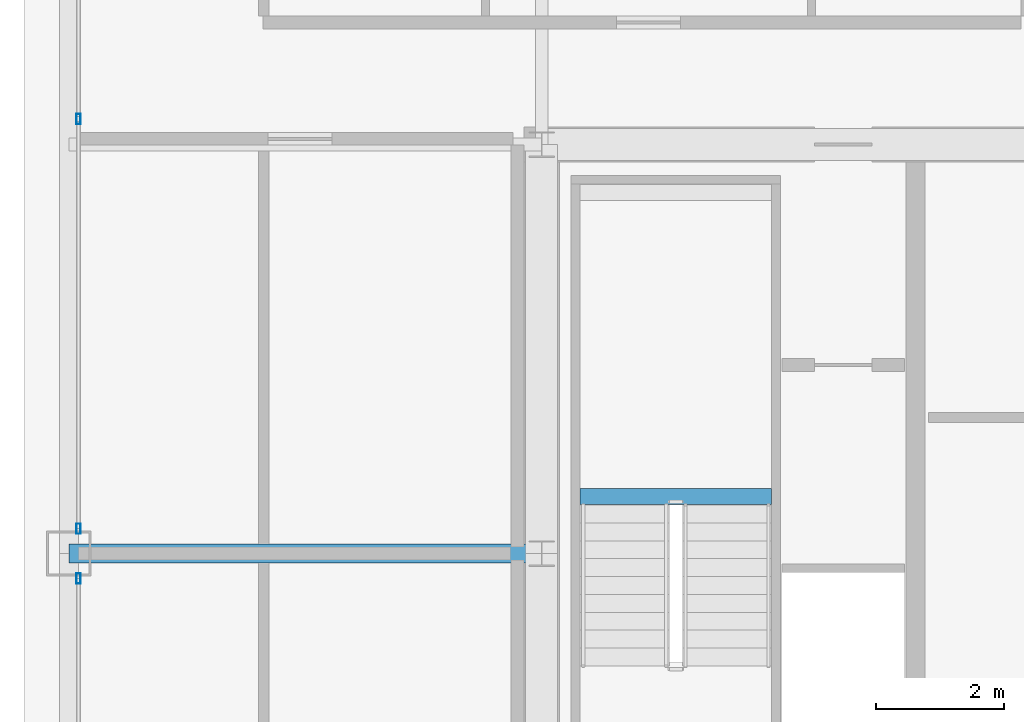
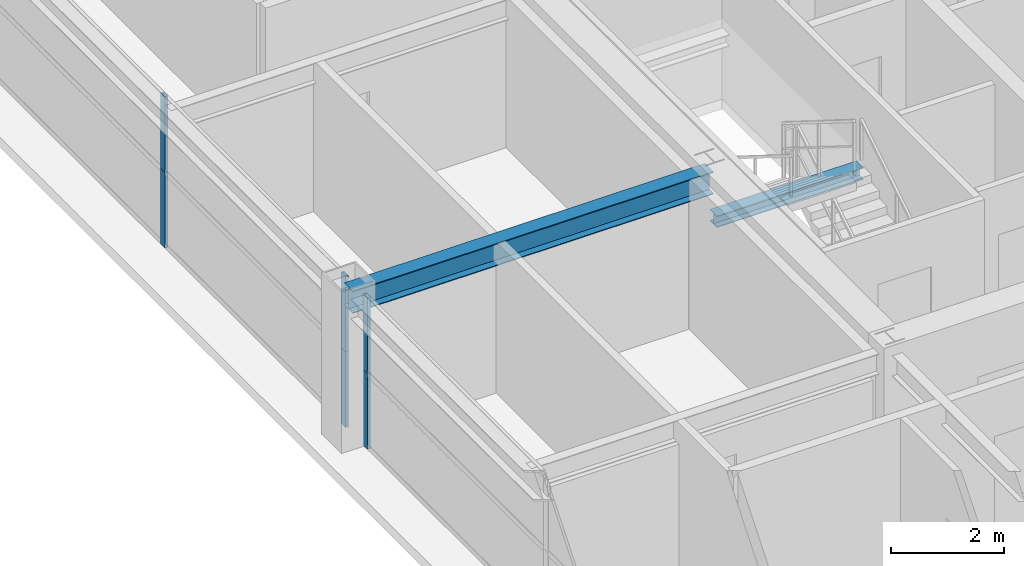
# One storey, part 13 of 36: 6 members, 2 beams, 2 elements without a shape of their own.
"""IFC4 building model written with IfcOpenShell, lengths in metres."""

from ifc_helpers import new_model, si_unit, direction, frame, origin, origin_2d, place, context, subcontext, project, spatial, hollow_rectangle, i_section, extrude, source, transform, mapped, material, layer, layer_set, material_profile, profile_set, type_object, element, aggregate, save


model = new_model("IFC4")

# Units and contexts
model_context = context("Model", 3, precision=1e-05, world=origin(), true_north=direction((0.0, 1.0)))
body_context = subcontext(model_context, "Body", "Model", "MODEL_VIEW")
ifc_project = project(units=[si_unit("LENGTHUNIT", "METRE"), si_unit("AREAUNIT", "SQUARE_METRE"), si_unit("VOLUMEUNIT", "CUBIC_METRE"), si_unit("PLANEANGLEUNIT", "RADIAN"), si_unit("MASSUNIT", "GRAM", prefix="KILO"), si_unit("THERMODYNAMICTEMPERATUREUNIT", "KELVIN"), si_unit("POWERUNIT", "WATT")], contexts=[model_context])

# Site, building, storey
site_placement = place(None, origin())
site = spatial("IfcSite", under=ifc_project, at=site_placement, CompositionType="ELEMENT")
building_placement = place(site_placement, origin())
building = spatial("IfcBuilding", under=site, at=building_placement, Name="Yuzanri Waterfront Tower", CompositionType="ELEMENT")
storey_placement = place(building_placement, frame((0.0, 0.0, 238.10009765625)))
storey = spatial("IfcBuildingStorey", under=building, at=storey_placement, Name="L63", CompositionType="ELEMENT", Elevation=238.10009765625)

# Beam
ifc_material_1 = material(Name="Steel Q355B", Category="steel")
ifc_material_profile_1 = material_profile(ifc_material_1, i_section(OverallWidth=0.300048828125, OverallDepth=0.488037109375, WebThickness=0.010986328125, FlangeThickness=0.01806640625, at=origin_2d()), Name="HM 488x300x11x18")
ifc_profile_set_1 = profile_set([ifc_material_profile_1], Name="Steel Q355B")
beam_type_1 = type_object("IfcBeamType", Name="Primary Floor Girder Q355B HM 488x300", PredefinedType="BEAM", material=ifc_profile_set_1)
shared_shape_1 = source(origin(), body_context, "Body", "SweptSolid", [
    extrude(i_section(OverallWidth=0.300048828125, OverallDepth=0.488037109375, WebThickness=0.010986328125, FlangeThickness=0.01806640625, at=origin_2d()), origin(), (0.0, 0.0, 1.0), 7.400146484375),
])
beam_1_placement = place(storey_placement, frame((23.800048828125, 25.800048828125, 3.035888671875), z_axis=(-1.0, 0.0, 0.0), x_axis=(0.0, -1.0, 0.0)))
element("IfcBeam", 1, at=beam_1_placement, inside=storey, type_object=beam_type_1, Name="L63 West Grid Girder", PredefinedType="BEAM", context=body_context, shape_type="MappedRepresentation", body=[
    mapped(shared_shape_1, transform((0.0, 0.0, 0.0), scale=1.0)),
])

# Curtain wall, members
ifc_material_2 = material(Name="Anodized Architectural Bronze", Category="metal")
ifc_layer = layer(ifc_material_2, 0.159912109375)
ifc_layer_set = layer_set([ifc_layer], Name="Anodized Architectural Bronze")
curtain_wall_type = type_object("IfcCurtainWallType", Name="Anodized Bronze Mid-Rise Residential Acoustic Unitized Curtain Wall 7200", PredefinedType="NOTDEFINED", material=ifc_layer_set)
curtain_wall_1_placement = place(storey_placement, origin())
curtain_wall_1 = element("IfcCurtainWall", 2, at=curtain_wall_1_placement, inside=storey, type_object=curtain_wall_type, Name="L63 Curtain Wall CW-L63-WL", PredefinedType="NOTDEFINED")
ifc_material_3 = material(Name="Anodized Architectural Bronze", Category="metal")
ifc_material_profile_2 = material_profile(ifc_material_3, hollow_rectangle(XDim=0.06494140625, YDim=0.159912109375, WallThickness=0.00341796875, at=origin_2d()), Name="CWM 65x160")
ifc_profile_set_2 = profile_set([ifc_material_profile_2], Name="Anodized Architectural Bronze")
member_type = type_object("IfcMemberType", Name="Anodized Bronze Upper-Zone Curtain-Wall Mullion 65x160", PredefinedType="MULLION", material=ifc_profile_set_2)
shared_shape_2 = source(origin(), body_context, "Body", "SweptSolid", [
    extrude(hollow_rectangle(XDim=0.06494140625, YDim=0.159912109375, WallThickness=0.00341796875, at=origin_2d()), origin(), (0.0, 0.0, 1.0), 1.637939453125),
])
member_1_placement = place(storey_placement, frame((16.550048828125, 25.409912109375, 0.0), z_axis=(0.0, 0.0, 1.0), x_axis=(1.0, 0.0, 0.0)))
member_1 = element("IfcMember", 3, at=member_1_placement, type_object=member_type, Name="CW-L63-WL Lower Mullion 02", PredefinedType="MULLION", context=body_context, shape_type="MappedRepresentation", body=[
    mapped(shared_shape_2, transform((0.0, 0.0, 0.0), scale=1.0)),
])
member_2_placement = place(storey_placement, frame((16.550048828125, 25.409912109375, 1.641845703125), z_axis=(0.0, 0.0, 1.0), x_axis=(1.0, 0.0, 0.0)))
member_2 = element("IfcMember", 4, at=member_2_placement, type_object=member_type, Name="CW-L63-WL Upper Mullion 02", PredefinedType="MULLION", context=body_context, shape_type="MappedRepresentation", body=[
    mapped(shared_shape_2, transform((0.0, 0.0, 0.0), scale=1.0)),
])
aggregate(curtain_wall_1, [member_1, member_2])

curtain_wall_2_placement = place(storey_placement, origin())
curtain_wall_2 = element("IfcCurtainWall", 5, at=curtain_wall_2_placement, inside=storey, type_object=curtain_wall_type, Name="L63 Curtain Wall CW-L63-WR", PredefinedType="NOTDEFINED")
member_3_placement = place(storey_placement, frame((16.550048828125, 26.18994140625, 0.0), z_axis=(0.0, 0.0, 1.0), x_axis=(1.0, 0.0, 0.0)))
member_3 = element("IfcMember", 6, at=member_3_placement, type_object=member_type, Name="CW-L63-WR Lower Mullion 00", PredefinedType="MULLION", context=body_context, shape_type="MappedRepresentation", body=[
    mapped(shared_shape_2, transform((0.0, 0.0, 0.0), scale=1.0)),
])
member_4_placement = place(storey_placement, frame((16.550048828125, 26.18994140625, 1.641845703125), z_axis=(0.0, 0.0, 1.0), x_axis=(1.0, 0.0, 0.0)))
member_4 = element("IfcMember", 7, at=member_4_placement, type_object=member_type, Name="CW-L63-WR Upper Mullion 00", PredefinedType="MULLION", context=body_context, shape_type="MappedRepresentation", body=[
    mapped(shared_shape_2, transform((0.0, 0.0, 0.0), scale=1.0)),
])
member_5_placement = place(storey_placement, frame((16.550048828125, 32.60009765625, 0.0), z_axis=(0.0, 0.0, 1.0), x_axis=(1.0, 0.0, 0.0)))
member_5 = element("IfcMember", 8, at=member_5_placement, type_object=member_type, Name="CW-L63-WR Lower Mullion 01", PredefinedType="MULLION", context=body_context, shape_type="MappedRepresentation", body=[
    mapped(shared_shape_2, transform((0.0, 0.0, 0.0), scale=1.0)),
])
member_6_placement = place(storey_placement, frame((16.550048828125, 32.60009765625, 1.641845703125), z_axis=(0.0, 0.0, 1.0), x_axis=(1.0, 0.0, 0.0)))
member_6 = element("IfcMember", 9, at=member_6_placement, type_object=member_type, Name="CW-L63-WR Upper Mullion 01", PredefinedType="MULLION", context=body_context, shape_type="MappedRepresentation", body=[
    mapped(shared_shape_2, transform((0.0, 0.0, 0.0), scale=1.0)),
])
aggregate(curtain_wall_2, [member_3, member_4, member_5, member_6])

# Beam
ifc_material_4 = material(Name="Steel Q355B", Category="steel")
ifc_material_profile_3 = material_profile(ifc_material_4, i_section(OverallWidth=0.25, OverallDepth=0.25, WebThickness=0.009033203125, FlangeThickness=0.013916015625, at=origin_2d()), Name="HW 250x250x9x14")
ifc_profile_set_3 = profile_set([ifc_material_profile_3], Name="Steel Q355B")
beam_type_2 = type_object("IfcBeamType", Name="Stair Landing Support Beam Q355B HW 250x250", PredefinedType="BEAM", material=ifc_profile_set_3)
shared_shape_3 = source(origin(), body_context, "Body", "SweptSolid", [
    extrude(i_section(OverallWidth=0.25, OverallDepth=0.25, WebThickness=0.009033203125, FlangeThickness=0.013916015625, at=origin_2d()), origin(), (0.0, 0.0, 1.0), 3.0),
])
beam_2_placement = place(storey_placement, frame((24.39990234375, 26.68994140625, 1.4248046875), z_axis=(1.0, 0.0, 0.0), x_axis=(0.0, 1.0, 0.0)))
element("IfcBeam", 10, at=beam_2_placement, inside=storey, type_object=beam_type_2, Name="L63 Stair Landing Support Beam ST-01-L63-L1-1", PredefinedType="BEAM", context=body_context, shape_type="MappedRepresentation", body=[
    mapped(shared_shape_3, transform((0.0, 0.0, 0.0), scale=1.0)),
])

save(model, "model.ifc")
